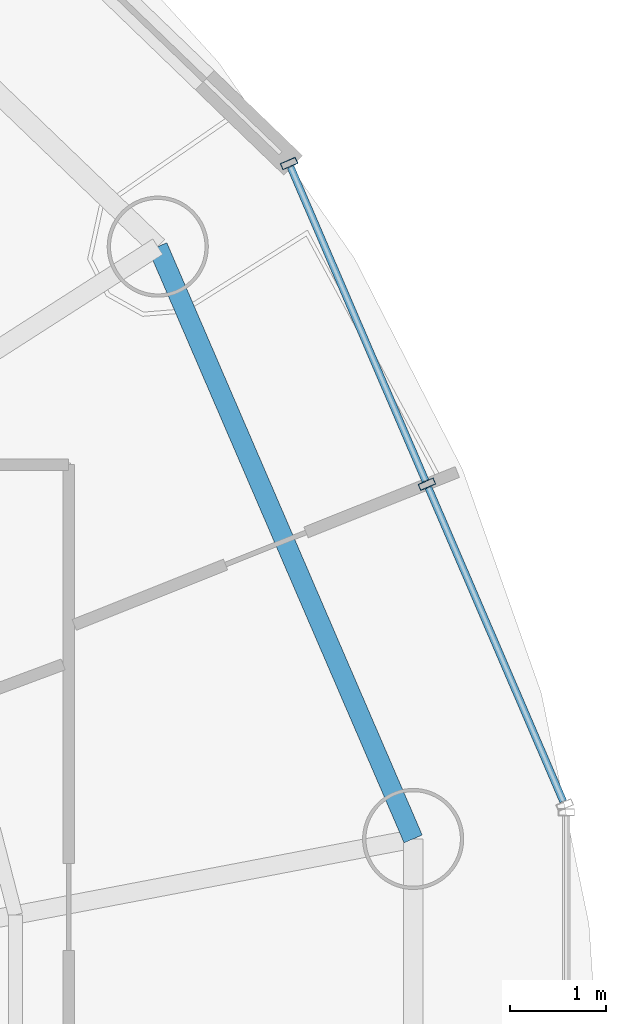
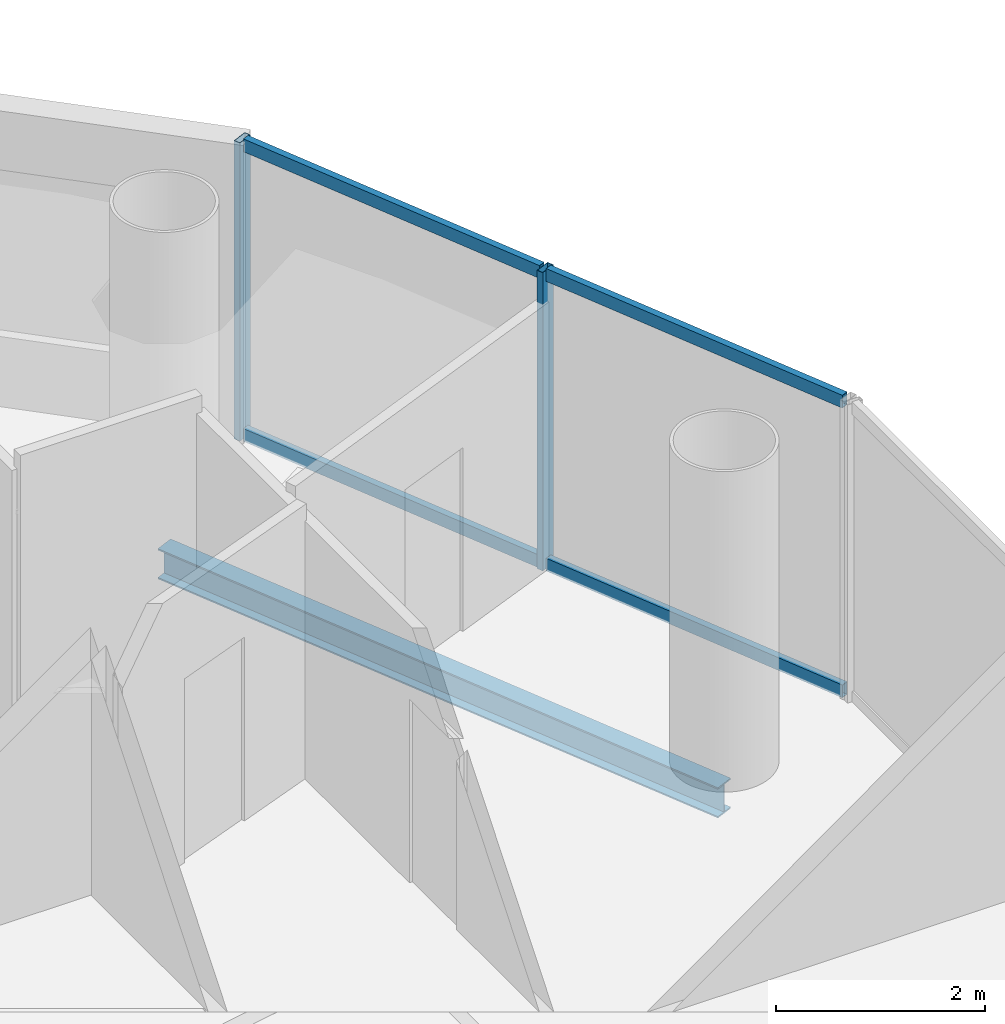
# One storey, part 10 of 21: 6 members, 1 beam, 1 element without a shape of its own.
"""IFC4 building model written with IfcOpenShell, lengths in metres."""

from ifc_helpers import new_model, si_unit, direction, frame, origin, origin_2d, place, context, subcontext, project, spatial, hollow_rectangle, i_section, extrude, source, transform, mapped, material, material_profile, profile_set, type_object, element, aggregate, save


model = new_model("IFC4")

# Units and contexts
model_context = context("Model", 3, precision=1e-05, world=origin(), true_north=direction((-0.2419218956, 0.970295726276)))
body_context = subcontext(model_context, "Body", "Model", "MODEL_VIEW")
ifc_project = project(units=[si_unit("LENGTHUNIT", "METRE"), si_unit("AREAUNIT", "SQUARE_METRE"), si_unit("VOLUMEUNIT", "CUBIC_METRE"), si_unit("PLANEANGLEUNIT", "RADIAN"), si_unit("MASSUNIT", "GRAM", prefix="KILO")], contexts=[model_context])

# Site, building, storey
site_placement = place(None, origin())
site = spatial("IfcSite", under=ifc_project, at=site_placement, CompositionType="ELEMENT")
building_placement = place(site_placement, origin())
building = spatial("IfcBuilding", under=site, at=building_placement, Name="Cobrevalo Terracotta Tower", CompositionType="ELEMENT")
storey_placement = place(building_placement, frame((0.0, 0.0, 285.699951171875)))
storey = spatial("IfcBuildingStorey", under=building, at=storey_placement, Name="L75", CompositionType="ELEMENT", Elevation=285.699951171875)

# Beam
ifc_material_1 = material(Name="Steel S355", Category="steel")
ifc_material_profile_1 = material_profile(ifc_material_1, i_section(OverallWidth=0.205078125, OverallDepth=0.35400390625, WebThickness=0.009521484375, FlangeThickness=0.016845703125, at=origin_2d()), Name="W 360x79")
ifc_profile_set_1 = profile_set([ifc_material_profile_1], Name="Steel S355")
beam_type = type_object("IfcBeamType", Name="Structural Spandrel W 360x79 (Steel S355)", PredefinedType="SPANDREL", material=ifc_profile_set_1)
beam_placement = place(storey_placement, frame((55.408935546875, 30.126220703125, -0.43701171875), z_axis=(-0.395974127655, 0.918261667624, 0.0), x_axis=(-0.918261667624, -0.395974127655, 0.0)))
element("IfcBeam", 1, at=beam_placement, inside=storey, type_object=beam_type, Name="L75 perimeter ring spandrel 01", PredefinedType="SPANDREL", context=body_context, shape_type="SweptSolid", body=[
    extrude(i_section(OverallWidth=0.205078125, OverallDepth=0.35400390625, WebThickness=0.009521484375, FlangeThickness=0.016845703125, at=origin_2d()), origin(), (0.0, 0.0, 1.0), 6.693359375),
])

# Curtain wall, members
ifc_material_2 = material(Name="Anodized aluminium", Category="aluminium")
curtain_wall_type = type_object("IfcCurtainWallType", Name="Upper-tower triple-glazed penthouse curtain wall CW-U3", PredefinedType="NOTDEFINED", material=ifc_material_2)
curtain_wall_placement = place(storey_placement, origin())
curtain_wall = element("IfcCurtainWall", 2, at=curtain_wall_placement, inside=storey, type_object=curtain_wall_type, Name="L75 curtain wall CW-L75-S01", PredefinedType="NOTDEFINED")
ifc_material_profile_2 = material_profile(ifc_material_2, hollow_rectangle(XDim=0.070068359375, YDim=0.169921875, WallThickness=0.00439453125, at=origin_2d()), Name="CWM 70x170")
ifc_profile_set_2 = profile_set([ifc_material_profile_2], Name="Anodized aluminium")
member_type_1 = type_object("IfcMemberType", Name="Upper tower unitised mullion 70x170", PredefinedType="MULLION", material=ifc_profile_set_2)
shared_shape_1 = source(origin(), body_context, "Body", "SweptSolid", [
    extrude(hollow_rectangle(XDim=0.070068359375, YDim=0.169921875, WallThickness=0.00439453125, at=origin_2d()), origin(), (0.0, 0.0, 1.0), 3.489990234375),
])
member_1_placement = place(storey_placement, frame((55.5517578125, 33.807373046875, 0.0), z_axis=(0.0, 0.0, 1.0), x_axis=(-0.39482403454, 0.91875675875, 0.0)))
member_1 = element("IfcMember", 3, at=member_1_placement, type_object=member_type_1, Name="CW-L75-S01 vertical mullion 02", PredefinedType="MULLION", context=body_context, shape_type="MappedRepresentation", body=[
    mapped(shared_shape_1, transform((0.0, 0.0, 0.0), scale=1.0)),
])
member_2_placement = place(storey_placement, frame((54.121337890625, 37.1357421875, 0.0), z_axis=(0.0, 0.0, 1.0), x_axis=(-0.39482403454, 0.91875675875, 0.0)))
member_2 = element("IfcMember", 4, at=member_2_placement, type_object=member_type_1, Name="CW-L75-S01 vertical mullion 03", PredefinedType="MULLION", context=body_context, shape_type="MappedRepresentation", body=[
    mapped(shared_shape_1, transform((0.0, 0.0, 0.0), scale=1.0)),
])
ifc_material_profile_3 = material_profile(ifc_material_2, hollow_rectangle(XDim=0.074951171875, YDim=0.14990234375, WallThickness=0.00439453125, at=origin_2d()), Name="CWT 75x150")
ifc_profile_set_3 = profile_set([ifc_material_profile_3], Name="Anodized aluminium")
member_type_2 = type_object("IfcMemberType", Name="Tower unitised aluminium transom 75x150", PredefinedType="USERDEFINED", material=ifc_profile_set_3)
shared_shape_2 = source(origin(), body_context, "Body", "SweptSolid", [
    extrude(hollow_rectangle(XDim=0.074951171875, YDim=0.14990234375, WallThickness=0.00439453125, at=origin_2d()), origin(), (0.0, 0.0, 1.0), 3.54248046875),
])
member_3_placement = place(storey_placement, frame((55.535888671875, 33.84423828125, 0.050048828125), z_axis=(-0.394834055841, 0.918752452159, 0.0), x_axis=(-0.918752452159, -0.394834055841, 0.0)))
member_3 = element("IfcMember", 5, at=member_3_placement, type_object=member_type_2, Name="CW-L75-S01 transom B02-T1", ObjectType="TRANSOM", PredefinedType="USERDEFINED", context=body_context, shape_type="MappedRepresentation", body=[
    mapped(shared_shape_2, transform((0.0, 0.0, 0.0), scale=1.0)),
])
member_4_placement = place(storey_placement, frame((55.535888671875, 33.84423828125, 3.43994140625), z_axis=(-0.394834055841, 0.918752452159, 0.0), x_axis=(-0.918752452159, -0.394834055841, 0.0)))
member_4 = element("IfcMember", 6, at=member_4_placement, type_object=member_type_2, Name="CW-L75-S01 transom B02-T2", ObjectType="TRANSOM", PredefinedType="USERDEFINED", context=body_context, shape_type="MappedRepresentation", body=[
    mapped(shared_shape_2, transform((0.0, 0.0, 0.0), scale=1.0)),
])
shared_shape_3 = source(origin(), body_context, "Body", "SweptSolid", [
    extrude(hollow_rectangle(XDim=0.074951171875, YDim=0.14990234375, WallThickness=0.00439453125, at=origin_2d()), origin(), (0.0, 0.0, 1.0), 3.542724609375),
])
member_5_placement = place(storey_placement, frame((56.96630859375, 30.515869140625, 0.050048828125), z_axis=(-0.394867226589, 0.918738196314, 0.0), x_axis=(-0.918738196314, -0.394867226589, 0.0)))
member_5 = element("IfcMember", 7, at=member_5_placement, type_object=member_type_2, Name="CW-L75-S01 transom B01-T1", ObjectType="TRANSOM", PredefinedType="USERDEFINED", context=body_context, shape_type="MappedRepresentation", body=[
    mapped(shared_shape_3, transform((0.0, 0.0, 0.0), scale=1.0)),
])
member_6_placement = place(storey_placement, frame((56.96630859375, 30.515869140625, 3.43994140625), z_axis=(-0.394867226589, 0.918738196314, 0.0), x_axis=(-0.918738196314, -0.394867226589, 0.0)))
member_6 = element("IfcMember", 8, at=member_6_placement, type_object=member_type_2, Name="CW-L75-S01 transom B01-T2", ObjectType="TRANSOM", PredefinedType="USERDEFINED", context=body_context, shape_type="MappedRepresentation", body=[
    mapped(shared_shape_3, transform((0.0, 0.0, 0.0), scale=1.0)),
])
aggregate(curtain_wall, [member_1, member_2, member_5, member_6, member_3, member_4])

save(model, "model.ifc")
